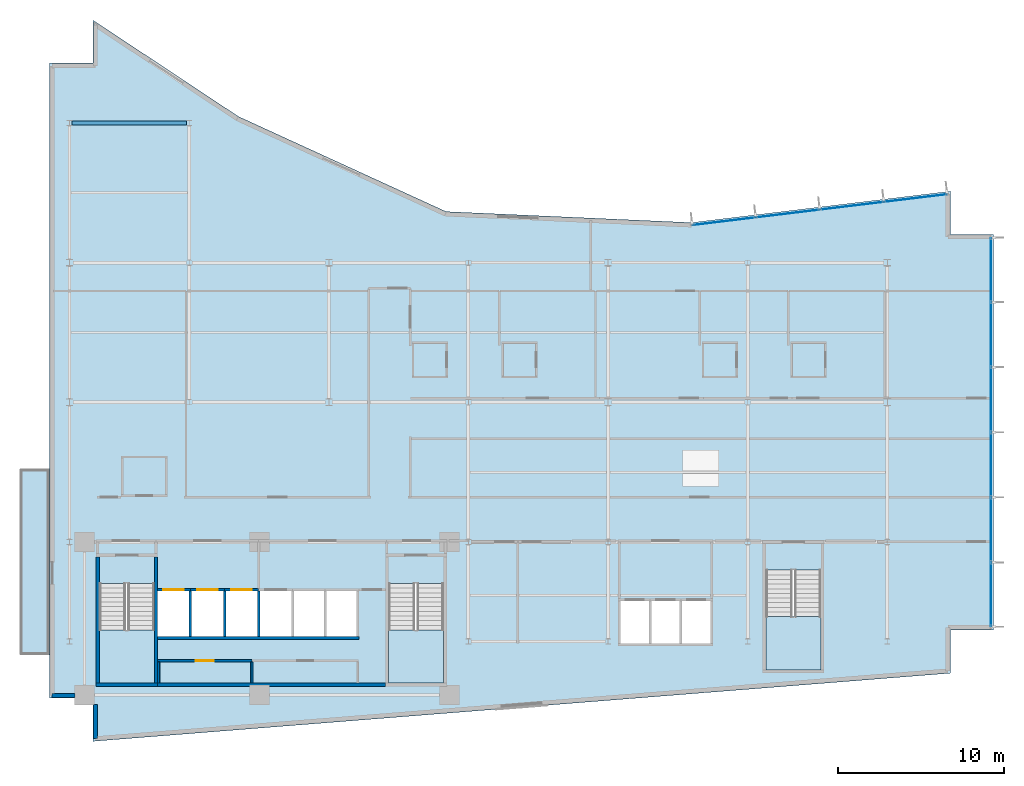
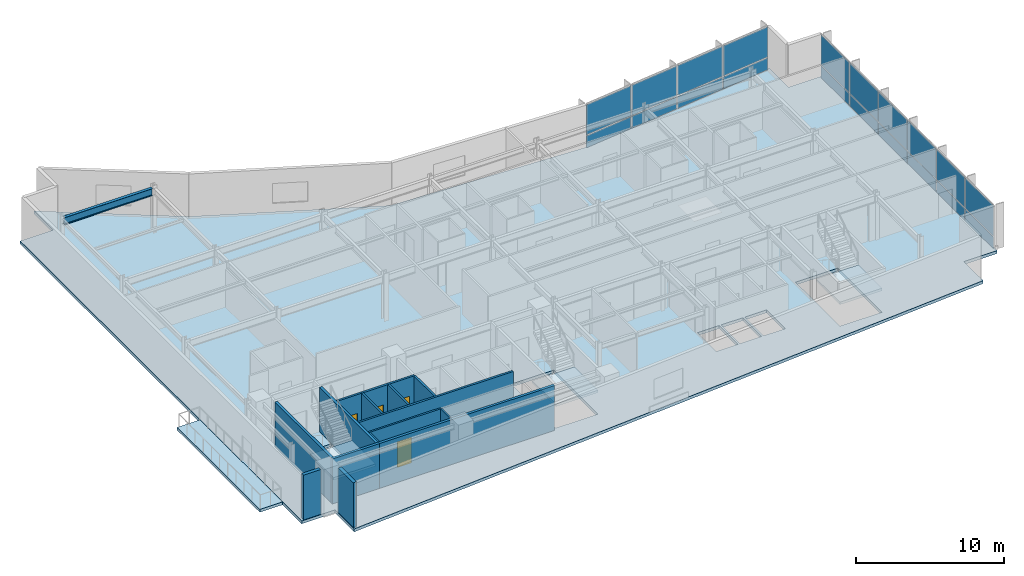
# One storey, part 9 of 18: 20 plates, 16 walls, 5 slabs, 4 doors, 1 beam, 4 openings, 5 elements without a shape of their own.
"""IFC4 building model written with IfcOpenShell, lengths in metres."""

from ifc_helpers import new_model, si_unit, direction, frame, frame_2d, origin, origin_2d, place, context, subcontext, project, spatial, polyline, rectangle, i_section, outline, extrude, material, layer, layer_set, material_profile, profile_set, type_object, element, fill, aggregate, save


model = new_model("IFC4")

# Units and contexts
model_context = context("Model", 3, precision=1e-05, world=origin(), true_north=direction((0.0, 1.0)))
body_context = subcontext(model_context, "Body", "Model", "MODEL_VIEW")
ifc_project = project(units=[si_unit("LENGTHUNIT", "METRE"), si_unit("AREAUNIT", "SQUARE_METRE"), si_unit("VOLUMEUNIT", "CUBIC_METRE"), si_unit("PLANEANGLEUNIT", "RADIAN"), si_unit("MASSUNIT", "GRAM", prefix="KILO")], contexts=[model_context])

# Site, building, storey
site_placement = place(None, origin())
site = spatial("IfcSite", under=ifc_project, at=site_placement, CompositionType="ELEMENT")
building_placement = place(site_placement, origin())
building = spatial("IfcBuilding", under=site, at=building_placement, Name="Varnakote Quay Hospital", CompositionType="ELEMENT")
storey_placement = place(building_placement, frame((0.0, 0.0, 138.89990234375)))
storey = spatial("IfcBuildingStorey", under=building, at=storey_placement, Name="L34", CompositionType="ELEMENT", Elevation=138.89990234375)

# Beam
ifc_material_1 = material(Name="Structural steel AS/NZS 3679.1 Grade 350 L0 (fy 340 MPa)", Category="steel")
ifc_material_profile = material_profile(ifc_material_1, i_section(OverallWidth=0.22802734375, OverallDepth=0.60205078125, WebThickness=0.010498046875, FlangeThickness=0.014892578125, FilletRadius=0.013916015625, at=origin_2d()), Name="610UB101")
ifc_profile_set = profile_set([ifc_material_profile], Name="Structural steel AS/NZS 3679.1 Grade 350 L0 (fy 340 MPa)")
beam_type = type_object("IfcBeamType", Name="BM-STL-610UB101", PredefinedType="BEAM", material=ifc_profile_set)
beam_placement = place(storey_placement, frame((1.3544921875, 37.199951171875, 3.4091796875), z_axis=(1.0, 0.0, 0.0), x_axis=(0.0, 1.0, 0.0)))
element("IfcBeam", 1, at=beam_placement, inside=storey, type_object=beam_type, Name="L34 Primary Floor Beam", PredefinedType="BEAM", context=body_context, shape_type="SweptSolid", body=[
    extrude(i_section(OverallWidth=0.22802734375, OverallDepth=0.60205078125, WebThickness=0.010498046875, FlangeThickness=0.014892578125, FilletRadius=0.013916015625, at=origin_2d()), origin(), (0.0, 0.0, 1.0), 6.89111328125),
])

# Curtain wall, plates
ifc_material_2 = material(Name="Anodised aluminium 6063-T6 Bronze", Category="aluminium")
ifc_layer_1 = layer(ifc_material_2, 0.205078125)
ifc_layer_set_1 = layer_set([ifc_layer_1], Name="Anodised aluminium 6063-T6 Bronze")
curtain_wall_type = type_object("IfcCurtainWallType", Name="CW-SYS-3", PredefinedType="NOTDEFINED", material=ifc_layer_set_1)
curtain_wall_1_placement = place(storey_placement, origin())
curtain_wall_1 = element("IfcCurtainWall", 2, at=curtain_wall_1_placement, inside=storey, type_object=curtain_wall_type, Name="L34 Unitised Bronze Curtain Wall 1", PredefinedType="NOTDEFINED")
ifc_material_3 = material(Name="Double-glazed low-E solar glass", Category="glass")
ifc_layer_2 = layer(ifc_material_3, 0.028076171875)
ifc_layer_set_2 = layer_set([ifc_layer_2], Name="Double-glazed low-E solar glass")
plate_type = type_object("IfcPlateType", Name="CW-PNL-GLZ-28", PredefinedType="CURTAIN_PANEL", material=ifc_layer_set_2)
plate_1_placement = place(storey_placement, frame((56.639892578125, 8.83544921875, 0.0751953125), z_axis=(0.0, 0.0, 1.0), x_axis=(0.0, 1.0, 0.0)))
plate_1 = element("IfcPlate", 3, at=plate_1_placement, type_object=plate_type, Name="-3-L34-1 panel 1.1", PredefinedType="CURTAIN_PANEL", context=body_context, shape_type="SweptSolid", body=[
    extrude(rectangle(XDim=3.80078125, YDim=0.028076171875, at=origin_2d()), origin(), (0.0, 0.0, 1.0), 0.987548828125),
])
plate_2_placement = place(storey_placement, frame((56.639892578125, 8.83544921875, 1.137451171875), z_axis=(0.0, 0.0, 1.0), x_axis=(0.0, 1.0, 0.0)))
plate_2 = element("IfcPlate", 4, at=plate_2_placement, type_object=plate_type, Name="-3-L34-1 panel 1.2", PredefinedType="CURTAIN_PANEL", context=body_context, shape_type="SweptSolid", body=[
    extrude(rectangle(XDim=3.80078125, YDim=0.028076171875, at=origin_2d()), origin(), (0.0, 0.0, 1.0), 2.49755859375),
])
plate_3_placement = place(storey_placement, frame((56.639892578125, 12.72998046875, 0.0751953125), z_axis=(0.0, 0.0, 1.0), x_axis=(0.0, 1.0, 0.0)))
plate_3 = element("IfcPlate", 5, at=plate_3_placement, type_object=plate_type, Name="-3-L34-1 panel 2.1", PredefinedType="CURTAIN_PANEL", context=body_context, shape_type="SweptSolid", body=[
    extrude(rectangle(XDim=3.83837890625, YDim=0.028076171875, at=origin_2d()), origin(), (0.0, 0.0, 1.0), 0.987548828125),
])
plate_4_placement = place(storey_placement, frame((56.639892578125, 12.72998046875, 1.137451171875), z_axis=(0.0, 0.0, 1.0), x_axis=(0.0, 1.0, 0.0)))
plate_4 = element("IfcPlate", 6, at=plate_4_placement, type_object=plate_type, Name="-3-L34-1 panel 2.2", PredefinedType="CURTAIN_PANEL", context=body_context, shape_type="SweptSolid", body=[
    extrude(rectangle(XDim=3.83837890625, YDim=0.028076171875, at=origin_2d()), origin(), (0.0, 0.0, 1.0), 2.49755859375),
])
plate_5_placement = place(storey_placement, frame((56.639892578125, 16.643310546875, 0.0751953125), z_axis=(0.0, 0.0, 1.0), x_axis=(0.0, 1.0, 0.0)))
plate_5 = element("IfcPlate", 7, at=plate_5_placement, type_object=plate_type, Name="-3-L34-1 panel 3.1", PredefinedType="CURTAIN_PANEL", context=body_context, shape_type="SweptSolid", body=[
    extrude(rectangle(XDim=3.83837890625, YDim=0.028076171875, at=origin_2d()), origin(), (0.0, 0.0, 1.0), 0.987548828125),
])
plate_6_placement = place(storey_placement, frame((56.639892578125, 16.643310546875, 1.137451171875), z_axis=(0.0, 0.0, 1.0), x_axis=(0.0, 1.0, 0.0)))
plate_6 = element("IfcPlate", 8, at=plate_6_placement, type_object=plate_type, Name="-3-L34-1 panel 3.2", PredefinedType="CURTAIN_PANEL", context=body_context, shape_type="SweptSolid", body=[
    extrude(rectangle(XDim=3.83837890625, YDim=0.028076171875, at=origin_2d()), origin(), (0.0, 0.0, 1.0), 2.49755859375),
])
plate_7_placement = place(storey_placement, frame((56.639892578125, 20.556640625, 0.0751953125), z_axis=(0.0, 0.0, 1.0), x_axis=(0.0, 1.0, 0.0)))
plate_7 = element("IfcPlate", 9, at=plate_7_placement, type_object=plate_type, Name="-3-L34-1 panel 4.1", PredefinedType="CURTAIN_PANEL", context=body_context, shape_type="SweptSolid", body=[
    extrude(rectangle(XDim=3.83837890625, YDim=0.028076171875, at=origin_2d()), origin(), (0.0, 0.0, 1.0), 0.987548828125),
])
plate_8_placement = place(storey_placement, frame((56.639892578125, 20.556640625, 1.137451171875), z_axis=(0.0, 0.0, 1.0), x_axis=(0.0, 1.0, 0.0)))
plate_8 = element("IfcPlate", 10, at=plate_8_placement, type_object=plate_type, Name="-3-L34-1 panel 4.2", PredefinedType="CURTAIN_PANEL", context=body_context, shape_type="SweptSolid", body=[
    extrude(rectangle(XDim=3.83837890625, YDim=0.028076171875, at=origin_2d()), origin(), (0.0, 0.0, 1.0), 2.49755859375),
])
plate_9_placement = place(storey_placement, frame((56.639892578125, 24.469970703125, 0.0751953125), z_axis=(0.0, 0.0, 1.0), x_axis=(0.0, 1.0, 0.0)))
plate_9 = element("IfcPlate", 11, at=plate_9_placement, type_object=plate_type, Name="-3-L34-1 panel 5.1", PredefinedType="CURTAIN_PANEL", context=body_context, shape_type="SweptSolid", body=[
    extrude(rectangle(XDim=3.83837890625, YDim=0.028076171875, at=origin_2d()), origin(), (0.0, 0.0, 1.0), 0.987548828125),
])
plate_10_placement = place(storey_placement, frame((56.639892578125, 24.469970703125, 1.137451171875), z_axis=(0.0, 0.0, 1.0), x_axis=(0.0, 1.0, 0.0)))
plate_10 = element("IfcPlate", 12, at=plate_10_placement, type_object=plate_type, Name="-3-L34-1 panel 5.2", PredefinedType="CURTAIN_PANEL", context=body_context, shape_type="SweptSolid", body=[
    extrude(rectangle(XDim=3.83837890625, YDim=0.028076171875, at=origin_2d()), origin(), (0.0, 0.0, 1.0), 2.49755859375),
])
plate_11_placement = place(storey_placement, frame((56.639892578125, 28.364501953125, 0.0751953125), z_axis=(0.0, 0.0, 1.0), x_axis=(0.0, 1.0, 0.0)))
plate_11 = element("IfcPlate", 13, at=plate_11_placement, type_object=plate_type, Name="-3-L34-1 panel 6.1", PredefinedType="CURTAIN_PANEL", context=body_context, shape_type="SweptSolid", body=[
    extrude(rectangle(XDim=3.80078125, YDim=0.028076171875, at=origin_2d()), origin(), (0.0, 0.0, 1.0), 0.987548828125),
])
plate_12_placement = place(storey_placement, frame((56.639892578125, 28.364501953125, 1.137451171875), z_axis=(0.0, 0.0, 1.0), x_axis=(0.0, 1.0, 0.0)))
plate_12 = element("IfcPlate", 14, at=plate_12_placement, type_object=plate_type, Name="-3-L34-1 panel 6.2", PredefinedType="CURTAIN_PANEL", context=body_context, shape_type="SweptSolid", body=[
    extrude(rectangle(XDim=3.80078125, YDim=0.028076171875, at=origin_2d()), origin(), (0.0, 0.0, 1.0), 2.49755859375),
])
aggregate(curtain_wall_1, [plate_1, plate_2, plate_3, plate_4, plate_5, plate_6, plate_7, plate_8, plate_9, plate_10, plate_11, plate_12])

curtain_wall_2_placement = place(storey_placement, origin())
curtain_wall_2 = element("IfcCurtainWall", 15, at=curtain_wall_2_placement, inside=storey, type_object=curtain_wall_type, Name="L34 Unitised Bronze Curtain Wall 2", PredefinedType="NOTDEFINED")
plate_13_placement = place(storey_placement, frame((52.09521484375, 32.68359375, 0.0751953125), z_axis=(0.0, 0.0, 1.0), x_axis=(-0.992734295067, -0.12032713492, 0.0)))
plate_13 = element("IfcPlate", 16, at=plate_13_placement, type_object=plate_type, Name="-3-L34-2 panel 1.1", PredefinedType="CURTAIN_PANEL", context=body_context, shape_type="SweptSolid", body=[
    extrude(rectangle(XDim=3.76806640625, YDim=0.028076171875, at=origin_2d()), origin(), (0.0, 0.0, 1.0), 0.987548828125),
])
plate_14_placement = place(storey_placement, frame((52.09521484375, 32.68359375, 1.137451171875), z_axis=(0.0, 0.0, 1.0), x_axis=(-0.992734295067, -0.12032713492, 0.0)))
plate_14 = element("IfcPlate", 17, at=plate_14_placement, type_object=plate_type, Name="-3-L34-2 panel 1.2", PredefinedType="CURTAIN_PANEL", context=body_context, shape_type="SweptSolid", body=[
    extrude(rectangle(XDim=3.76806640625, YDim=0.028076171875, at=origin_2d()), origin(), (0.0, 0.0, 1.0), 2.49755859375),
])
plate_15_placement = place(storey_placement, frame((48.26123046875, 32.218994140625, 0.0751953125), z_axis=(0.0, 0.0, 1.0), x_axis=(-0.992734295067, -0.12032713492, 0.0)))
plate_15 = element("IfcPlate", 18, at=plate_15_placement, type_object=plate_type, Name="-3-L34-2 panel 2.1", PredefinedType="CURTAIN_PANEL", context=body_context, shape_type="SweptSolid", body=[
    extrude(rectangle(XDim=3.8056640625, YDim=0.028076171875, at=origin_2d()), origin(), (0.0, 0.0, 1.0), 0.987548828125),
])
plate_16_placement = place(storey_placement, frame((48.26123046875, 32.218994140625, 1.137451171875), z_axis=(0.0, 0.0, 1.0), x_axis=(-0.992734295067, -0.12032713492, 0.0)))
plate_16 = element("IfcPlate", 19, at=plate_16_placement, type_object=plate_type, Name="-3-L34-2 panel 2.2", PredefinedType="CURTAIN_PANEL", context=body_context, shape_type="SweptSolid", body=[
    extrude(rectangle(XDim=3.8056640625, YDim=0.028076171875, at=origin_2d()), origin(), (0.0, 0.0, 1.0), 2.49755859375),
])
plate_17_placement = place(storey_placement, frame((44.40869140625, 31.751953125, 0.0751953125), z_axis=(0.0, 0.0, 1.0), x_axis=(-0.992734295067, -0.12032713492, 0.0)))
plate_17 = element("IfcPlate", 20, at=plate_17_placement, type_object=plate_type, Name="-3-L34-2 panel 3.1", PredefinedType="CURTAIN_PANEL", context=body_context, shape_type="SweptSolid", body=[
    extrude(rectangle(XDim=3.8056640625, YDim=0.028076171875, at=origin_2d()), origin(), (0.0, 0.0, 1.0), 0.987548828125),
])
plate_18_placement = place(storey_placement, frame((44.40869140625, 31.751953125, 1.137451171875), z_axis=(0.0, 0.0, 1.0), x_axis=(-0.992734295067, -0.12032713492, 0.0)))
plate_18 = element("IfcPlate", 21, at=plate_18_placement, type_object=plate_type, Name="-3-L34-2 panel 3.2", PredefinedType="CURTAIN_PANEL", context=body_context, shape_type="SweptSolid", body=[
    extrude(rectangle(XDim=3.8056640625, YDim=0.028076171875, at=origin_2d()), origin(), (0.0, 0.0, 1.0), 2.49755859375),
])
plate_19_placement = place(storey_placement, frame((40.574951171875, 31.287353515625, 0.0751953125), z_axis=(0.0, 0.0, 1.0), x_axis=(-0.992734295067, -0.12032713492, 0.0)))
plate_19 = element("IfcPlate", 22, at=plate_19_placement, type_object=plate_type, Name="-3-L34-2 panel 4.1", PredefinedType="CURTAIN_PANEL", context=body_context, shape_type="SweptSolid", body=[
    extrude(rectangle(XDim=3.76806640625, YDim=0.028076171875, at=origin_2d()), origin(), (0.0, 0.0, 1.0), 0.987548828125),
])
plate_20_placement = place(storey_placement, frame((40.574951171875, 31.287353515625, 1.137451171875), z_axis=(0.0, 0.0, 1.0), x_axis=(-0.992734295067, -0.12032713492, 0.0)))
plate_20 = element("IfcPlate", 23, at=plate_20_placement, type_object=plate_type, Name="-3-L34-2 panel 4.2", PredefinedType="CURTAIN_PANEL", context=body_context, shape_type="SweptSolid", body=[
    extrude(rectangle(XDim=3.76806640625, YDim=0.028076171875, at=origin_2d()), origin(), (0.0, 0.0, 1.0), 2.49755859375),
])
aggregate(curtain_wall_2, [plate_13, plate_14, plate_15, plate_16, plate_17, plate_18, plate_19, plate_20])

# Stair, slab
ifc_material_4 = material(Name="Concrete N40 (f'c 40 MPa)", Category="concrete")
stair_type = type_object("IfcStairType", Name="STR-CORE-1580", PredefinedType="HALF_TURN_STAIR", material=ifc_material_4)
stair_1_placement = place(storey_placement, origin())
stair_1 = element("IfcStair", 24, at=stair_1_placement, inside=storey, type_object=stair_type, Name="L34 Fire-Isolated Exit Stair ST-01", PredefinedType="HALF_TURN_STAIR")
ifc_material_5 = material(Name="Concrete N40 (f'c 40 MPa)", Category="concrete")
ifc_layer_3 = layer(ifc_material_5, 0.199951171875)
ifc_layer_set_3 = layer_set([ifc_layer_3], Name="Concrete N40 (f'c 40 MPa)")
slab_type_1 = type_object("IfcSlabType", Name="SLB-STAIR-LND-200", PredefinedType="LANDING", material=ifc_layer_set_3)
slab_1_placement = place(storey_placement, frame((0.0, 0.0, 1.775146484375)))
slab_1 = element("IfcSlab", 25, at=slab_1_placement, type_object=slab_type_1, Name="ST-01 landing 1", PredefinedType="LANDING", context=body_context, shape_type="SweptSolid", body=[
    extrude(outline(polyline([(3.0, 6.699951171875), (3.0, 3.5), (6.300048828125, 3.5), (6.300048828125, 6.699951171875), (3.0, 6.699951171875)])), origin(), (0.0, 0.0, 1.0), 0.199951171875),
])
aggregate(stair_1, [slab_1])

stair_2_placement = place(storey_placement, origin())
stair_2 = element("IfcStair", 26, at=stair_2_placement, inside=storey, type_object=stair_type, Name="L34 Fire-Isolated Exit Stair ST-02", PredefinedType="HALF_TURN_STAIR")
slab_2_placement = place(storey_placement, frame((0.0, 0.0, 1.775146484375)))
slab_2 = element("IfcSlab", 27, at=slab_2_placement, type_object=slab_type_1, Name="ST-02 landing 1", PredefinedType="LANDING", context=body_context, shape_type="SweptSolid", body=[
    extrude(outline(polyline([(20.39990234375, 6.699951171875), (20.39990234375, 3.5), (23.699951171875, 3.5), (23.699951171875, 6.699951171875), (20.39990234375, 6.699951171875)])), origin(), (0.0, 0.0, 1.0), 0.199951171875),
])
aggregate(stair_2, [slab_2])

stair_3_placement = place(storey_placement, origin())
stair_3 = element("IfcStair", 28, at=stair_3_placement, inside=storey, type_object=stair_type, Name="L34 Fire-Isolated Exit Stair ST-03", PredefinedType="HALF_TURN_STAIR")
slab_3_placement = place(storey_placement, frame((0.0, 0.0, 1.775146484375)))
slab_3 = element("IfcSlab", 29, at=slab_3_placement, type_object=slab_type_1, Name="ST-03 landing 1", PredefinedType="LANDING", context=body_context, shape_type="SweptSolid", body=[
    extrude(outline(polyline([(43.10009765625, 7.5), (43.10009765625, 4.300048828125), (46.39990234375, 4.300048828125), (46.39990234375, 7.5), (43.10009765625, 7.5)])), origin(), (0.0, 0.0, 1.0), 0.199951171875),
])
aggregate(stair_3, [slab_3])

# Slabs
ifc_material_6 = material(Name="Concrete N50 (f'c 50 MPa)", Category="concrete")
ifc_layer_4 = layer(ifc_material_6, 0.239990234375)
ifc_layer_set_4 = layer_set([ifc_layer_4], Name="Concrete N50 (f'c 50 MPa)")
slab_type_2 = type_object("IfcSlabType", Name="SLB-TERR-200", PredefinedType="FLOOR", material=ifc_layer_set_4)
slab_4_placement = place(storey_placement, frame((0.0, 0.0, -0.239990234375)))
element("IfcSlab", 30, at=slab_4_placement, inside=storey, type_object=slab_type_2, Name="L34 Waterfront Healing Terrace Slab", PredefinedType="FLOOR", context=body_context, shape_type="SweptSolid", body=[
    extrude(outline(polyline([(0.00390625, 5.199951171875), (0.00390625, 16.39990234375), (-1.780029296875, 16.39990234375), (-1.780029296875, 5.199951171875), (0.00390625, 5.199951171875)])), origin(), (0.0, 0.0, 1.0), 0.239990234375),
])
ifc_material_7 = material(Name="Concrete N50 (f'c 50 MPa)", Category="concrete")
ifc_layer_5 = layer(ifc_material_7, 0.239990234375)
ifc_layer_set_5 = layer_set([ifc_layer_5], Name="Concrete N50 (f'c 50 MPa)")
slab_type_3 = type_object("IfcSlabType", Name="SLB-WARD-200", PredefinedType="FLOOR", material=ifc_layer_set_5)
slab_5_placement = place(storey_placement, frame((0.0, 0.0, -0.239990234375)))
element("IfcSlab", 31, at=slab_5_placement, inside=storey, type_object=slab_type_3, Name="L34 Primary Floor Slab", PredefinedType="FLOOR", context=body_context, shape_type="SweptSolid", body=[
    extrude(outline(polyline([(0.0, 2.60009765625), (2.60009765625, 2.60009765625), (2.60009765625, 0.0), (54.199951171875, 4.10009765625), (54.199951171875, 6.699951171875), (56.800048828125, 6.699951171875), (56.800048828125, 30.5), (54.199951171875, 30.5), (54.199951171875, 33.10009765625), (38.6240234375, 31.2119140625), (23.85595703125, 31.8740234375), (11.360107421875, 37.595947265625), (2.60009765625, 43.39990234375), (2.60009765625, 40.800048828125), (0.0, 40.800048828125), (0.0, 2.60009765625)]), holes=[polyline([(3.0, 3.5), (6.300048828125, 3.5), (6.300048828125, 9.49951171875), (3.0, 9.49951171875), (3.0, 3.5)]), polyline([(20.39990234375, 3.5), (23.699951171875, 3.5), (23.699951171875, 9.49951171875), (20.39990234375, 9.49951171875), (20.39990234375, 3.5)]), polyline([(43.10009765625, 4.300048828125), (46.39990234375, 4.300048828125), (46.39990234375, 10.29931640625), (43.10009765625, 10.29931640625), (43.10009765625, 4.300048828125)]), polyline([(6.5, 6.300048828125), (8.39990234375, 6.300048828125), (8.39990234375, 9.050048828125), (6.5, 9.050048828125), (6.5, 6.300048828125)]), polyline([(8.550048828125, 6.300048828125), (10.449951171875, 6.300048828125), (10.449951171875, 9.050048828125), (8.550048828125, 9.050048828125), (8.550048828125, 6.300048828125)]), polyline([(10.60009765625, 6.300048828125), (12.5, 6.300048828125), (12.5, 9.050048828125), (10.60009765625, 9.050048828125), (10.60009765625, 6.300048828125)]), polyline([(12.64990234375, 6.300048828125), (14.550048828125, 6.300048828125), (14.550048828125, 9.050048828125), (12.64990234375, 9.050048828125), (12.64990234375, 6.300048828125)]), polyline([(14.699951171875, 6.300048828125), (16.5, 6.300048828125), (16.5, 9.050048828125), (14.699951171875, 9.050048828125), (14.699951171875, 6.300048828125)]), polyline([(16.64990234375, 6.300048828125), (18.449951171875, 6.300048828125), (18.449951171875, 9.050048828125), (16.64990234375, 9.050048828125), (16.64990234375, 6.300048828125)]), polyline([(34.35009765625, 5.89990234375), (36.050048828125, 5.89990234375), (36.050048828125, 8.449951171875), (34.35009765625, 8.449951171875), (34.35009765625, 5.89990234375)]), polyline([(36.199951171875, 5.89990234375), (37.89990234375, 5.89990234375), (37.89990234375, 8.449951171875), (36.199951171875, 8.449951171875), (36.199951171875, 5.89990234375)]), polyline([(38.050048828125, 5.89990234375), (39.75, 5.89990234375), (39.75, 8.449951171875), (38.050048828125, 8.449951171875), (38.050048828125, 5.89990234375)])]), origin(), (0.0, 0.0, 1.0), 0.239990234375),
])

# Walls
ifc_material_8 = material(Name="Concrete N65 (f'c 65 MPa)", Category="concrete")
ifc_layer_6 = layer(ifc_material_8, 0.199951171875)
ifc_layer_set_6 = layer_set([ifc_layer_6], Name="Concrete N65 (f'c 65 MPa)")
wall_type_1 = type_object("IfcWallType", Name="WL-CORE-N65-200", PredefinedType="SHEAR", material=ifc_layer_set_6)
wall_1_placement = place(storey_placement, frame((6.5, 3.39990234375, 0.0), z_axis=(0.0, 0.0, 1.0), x_axis=(1.0, 0.0, 0.0)))
element("IfcWall", 32, at=wall_1_placement, inside=storey, type_object=wall_type_1, Name="L34 Rear Core South Shear Wall", PredefinedType="SHEAR", context=body_context, shape_type="SweptSolid", body=[
    extrude(rectangle(XDim=13.699951171875, YDim=0.199951171875, at=frame_2d((6.85009765625, 0.0))), origin(), (0.0, 0.0, 1.0), 3.710205078125),
])
ifc_material_9 = material(Name="Precast concrete N50 (f'c 50 MPa)", Category="concrete")
ifc_layer_7 = layer(ifc_material_9, 0.260009765625)
ifc_layer_set_7 = layer_set([ifc_layer_7], Name="Precast concrete N50 (f'c 50 MPa)")
wall_type_2 = type_object("IfcWallType", Name="WL-EXT-BRICK-260", PredefinedType="STANDARD", material=ifc_layer_set_7)
wall_2_placement = place(storey_placement, frame((2.760009765625, 2.215087890625, 0.0), z_axis=(0.0, 0.0, 1.0), x_axis=(0.0, -1.0, 0.0)))
element("IfcWall", 33, at=wall_2_placement, inside=storey, type_object=wall_type_2, Name="L34 Brick-Faced Precast Exterior Wall", PredefinedType="STANDARD", context=body_context, shape_type="SweptSolid", body=[
    extrude(rectangle(XDim=2.0419921875, YDim=0.260009765625, at=frame_2d((1.02099609375, 0.0))), origin(), (0.0, 0.0, 1.0), 3.710205078125),
])
wall_3_placement = place(storey_placement, frame((0.159912109375, 2.760009765625, 0.0), z_axis=(0.0, 0.0, 1.0), x_axis=(1.0, 0.0, 0.0)))
element("IfcWall", 34, at=wall_3_placement, inside=storey, type_object=wall_type_2, Name="L34 Brick-Faced Precast Exterior Wall", PredefinedType="STANDARD", context=body_context, shape_type="SweptSolid", body=[
    extrude(rectangle(XDim=1.35498046875, YDim=0.260009765625, at=frame_2d((0.677490234375, 0.0))), origin(), (0.0, 0.0, 1.0), 3.710205078125),
])
ifc_material_10 = material(Name="Concrete N50 (f'c 50 MPa)", Category="concrete")
ifc_layer_8 = layer(ifc_material_10, 0.14990234375)
ifc_layer_set_8 = layer_set([ifc_layer_8], Name="Concrete N50 (f'c 50 MPa)")
wall_type_3 = type_object("IfcWallType", Name="WL-SHAFT-N50-150", PredefinedType="SHEAR", material=ifc_layer_set_8)
for number, where, z_axis, x_axis, name in (
    (35, (8.47509765625, 6.300048828125, 0.0), (0.0, 0.0, 1.0), (0.0, 1.0, 0.0), "L34 LF-FF1 Hoistway Divider Wall"),
    (36, (10.52490234375, 6.300048828125, 0.0), (0.0, 0.0, 1.0), (0.0, 1.0, 0.0), "L34 LF-FF2 Hoistway Divider Wall"),
    (37, (12.574951171875, 6.300048828125, 0.0), (0.0, 0.0, 1.0), (0.0, 1.0, 0.0), "L34 LF-SV1 Hoistway Divider Wall"),
):
    element("IfcWall", number, at=place(storey_placement, frame(where, z_axis=z_axis, x_axis=x_axis)), inside=storey, type_object=wall_type_3, Name=name, PredefinedType="SHEAR", context=body_context, shape_type="SweptSolid", body=[
        extrude(rectangle(XDim=2.75, YDim=0.14990234375, at=frame_2d((1.375, 0.0))), origin(), (0.0, 0.0, 1.0), 3.710205078125),
    ])
ifc_material_11 = material(Name="Concrete N50 (f'c 50 MPa)", Category="concrete")
ifc_layer_9 = layer(ifc_material_11, 0.159912109375)
ifc_layer_set_9 = layer_set([ifc_layer_9], Name="Concrete N50 (f'c 50 MPa)")
wall_type_4 = type_object("IfcWallType", Name="WL-SHAFT-N50-160", PredefinedType="SHEAR", material=ifc_layer_set_9)
wall_4_placement = place(storey_placement, frame((6.5, 6.219970703125, 0.0), z_axis=(0.0, 0.0, 1.0), x_axis=(1.0, 0.0, 0.0)))
element("IfcWall", 38, at=wall_4_placement, inside=storey, type_object=wall_type_4, Name="L34 REAR Lift Bank Back Shear Wall", PredefinedType="SHEAR", context=body_context, shape_type="SweptSolid", body=[
    extrude(rectangle(XDim=12.110107421875, YDim=0.159912109375, at=frame_2d((6.05517578125, 0.0))), origin(), (0.0, 0.0, 1.0), 3.710205078125),
])

# Wall, opening, door
wall_5_placement = place(storey_placement, frame((6.5, 9.1298828125, 0.0), z_axis=(0.0, 0.0, 1.0), x_axis=(1.0, 0.0, 0.0)))
wall_5 = element("IfcWall", 39, at=wall_5_placement, inside=storey, type_object=wall_type_4, Name="L34 LF-FF1 Hoistway Front Wall", PredefinedType="SHEAR", context=body_context, shape_type="SweptSolid", body=[
    extrude(rectangle(XDim=1.97509765625, YDim=0.159912109375, at=frame_2d((0.987548828125, 0.0))), origin(), (0.0, 0.0, 1.0), 3.710205078125),
])
opening_1_placement = place(wall_5_placement, frame((0.324951171875, 0.0, 0.0)))
opening_1 = element("IfcOpeningElement", 40, at=opening_1_placement, cuts=wall_5, Name="Opening LD-FF1-L34", PredefinedType="OPENING", context=body_context, shape_type="SweptSolid", body=[
    extrude(rectangle(XDim=1.25, YDim=2.14990234375, at=frame_2d((0.625, 1.074951171875))), frame((0.0, 0.08984375, 0.0), z_axis=(0.0, -1.0, 0.0), x_axis=(1.0, 0.0, 0.0)), (0.0, 0.0, 1.0), 0.179931640625),
])
ifc_material_12 = material(Name="Stainless steel lift landing sliding door", Category="steel")
door_type_1 = type_object("IfcDoorType", Name="DR-LIFT-LD-1250x2150", OperationType="NOTDEFINED", PredefinedType="DOOR", material=ifc_material_12)
door_1_placement = place(opening_1_placement, origin())
door_1 = element("IfcDoor", 41, at=door_1_placement, inside=storey, type_object=door_type_1, Name="L34 LF-FF1 Lift Landing Sliding Door", OperationType="SLIDING_TO_LEFT", OverallHeight=2.14990234375, OverallWidth=1.25, PredefinedType="DOOR", context=body_context, shape_type="SweptSolid", body=[
    extrude(rectangle(XDim=1.25, YDim=2.14990234375, at=frame_2d((0.625, 1.074951171875))), frame((0.0, 0.02490234375, 0.0), z_axis=(0.0, -1.0, 0.0), x_axis=(1.0, 0.0, 0.0)), (0.0, 0.0, 1.0), 0.050048828125),
])
fill(opening_1, door_1)

wall_6_placement = place(storey_placement, frame((8.47509765625, 9.1298828125, 0.0), z_axis=(0.0, 0.0, 1.0), x_axis=(1.0, 0.0, 0.0)))
wall_6 = element("IfcWall", 42, at=wall_6_placement, inside=storey, type_object=wall_type_4, Name="L34 LF-FF2 Hoistway Front Wall", PredefinedType="SHEAR", context=body_context, shape_type="SweptSolid", body=[
    extrude(rectangle(XDim=2.0498046875, YDim=0.159912109375, at=frame_2d((1.02490234375, 0.0))), origin(), (0.0, 0.0, 1.0), 3.710205078125),
])
opening_2_placement = place(wall_6_placement, frame((0.39990234375, 0.0, 0.0)))
opening_2 = element("IfcOpeningElement", 43, at=opening_2_placement, cuts=wall_6, Name="Opening LD-FF2-L34", PredefinedType="OPENING", context=body_context, shape_type="SweptSolid", body=[
    extrude(rectangle(XDim=1.25, YDim=2.14990234375, at=frame_2d((0.625, 1.074951171875))), frame((0.0, 0.08984375, 0.0), z_axis=(0.0, -1.0, 0.0), x_axis=(1.0, 0.0, 0.0)), (0.0, 0.0, 1.0), 0.179931640625),
])
door_2_placement = place(opening_2_placement, origin())
door_2 = element("IfcDoor", 44, at=door_2_placement, inside=storey, type_object=door_type_1, Name="L34 LF-FF2 Lift Landing Sliding Door", OperationType="SLIDING_TO_LEFT", OverallHeight=2.14990234375, OverallWidth=1.25, PredefinedType="DOOR", context=body_context, shape_type="SweptSolid", body=[
    extrude(rectangle(XDim=1.25, YDim=2.14990234375, at=frame_2d((0.625, 1.074951171875))), frame((0.0, 0.02490234375, 0.0), z_axis=(0.0, -1.0, 0.0), x_axis=(1.0, 0.0, 0.0)), (0.0, 0.0, 1.0), 0.050048828125),
])
fill(opening_2, door_2)

wall_7_placement = place(storey_placement, frame((10.52490234375, 9.1298828125, 0.0), z_axis=(0.0, 0.0, 1.0), x_axis=(1.0, 0.0, 0.0)))
wall_7 = element("IfcWall", 45, at=wall_7_placement, inside=storey, type_object=wall_type_4, Name="L34 LF-SV1 Hoistway Front Wall", PredefinedType="SHEAR", context=body_context, shape_type="SweptSolid", body=[
    extrude(rectangle(XDim=2.050048828125, YDim=0.159912109375, at=frame_2d((1.02490234375, 0.0))), origin(), (0.0, 0.0, 1.0), 3.710205078125),
])
opening_3_placement = place(wall_7_placement, frame((0.39990234375, 0.0, 0.0)))
opening_3 = element("IfcOpeningElement", 46, at=opening_3_placement, cuts=wall_7, Name="Opening LD-SV1-L34", PredefinedType="OPENING", context=body_context, shape_type="SweptSolid", body=[
    extrude(rectangle(XDim=1.25, YDim=2.14990234375, at=frame_2d((0.625, 1.074951171875))), frame((0.0, 0.08984375, 0.0), z_axis=(0.0, -1.0, 0.0), x_axis=(1.0, 0.0, 0.0)), (0.0, 0.0, 1.0), 0.179931640625),
])
door_3_placement = place(opening_3_placement, origin())
door_3 = element("IfcDoor", 47, at=door_3_placement, inside=storey, type_object=door_type_1, Name="L34 LF-SV1 Lift Landing Sliding Door", OperationType="SLIDING_TO_LEFT", OverallHeight=2.14990234375, OverallWidth=1.25, PredefinedType="DOOR", context=body_context, shape_type="SweptSolid", body=[
    extrude(rectangle(XDim=1.25, YDim=2.14990234375, at=frame_2d((0.625, 1.074951171875))), frame((0.0, 0.02490234375, 0.0), z_axis=(0.0, -1.0, 0.0), x_axis=(1.0, 0.0, 0.0)), (0.0, 0.0, 1.0), 0.050048828125),
])
fill(opening_3, door_3)

# Walls
ifc_material_13 = material(Name="Concrete N50 (f'c 50 MPa)", Category="concrete")
ifc_layer_10 = layer(ifc_material_13, 0.199951171875)
ifc_layer_set_10 = layer_set([ifc_layer_10], Name="Concrete N50 (f'c 50 MPa)")
wall_type_5 = type_object("IfcWallType", Name="WL-SHAFT-N50-200", PredefinedType="SHEAR", material=ifc_layer_set_10)
wall_8_placement = place(storey_placement, frame((2.800048828125, 3.39990234375, 0.0), z_axis=(0.0, 0.0, 1.0), x_axis=(1.0, 0.0, 0.0)))
element("IfcWall", 48, at=wall_8_placement, inside=storey, type_object=wall_type_5, Name="L34 Stair ST1 South Shaft Wall", PredefinedType="SHEAR", context=body_context, shape_type="SweptSolid", body=[
    extrude(rectangle(XDim=3.699951171875, YDim=0.199951171875, at=frame_2d((1.85009765625, 0.0))), origin(), (0.0, 0.0, 1.0), 3.710205078125),
])
for number, where, z_axis, x_axis, name in (
    (49, (2.89990234375, 3.5, 0.0), (0.0, 0.0, 1.0), (0.0, 1.0, 0.0), "L34 Stair ST1 West Shaft Wall"),
    (50, (6.39990234375, 3.5, 0.0), (0.0, 0.0, 1.0), (0.0, 1.0, 0.0), "L34 Stair ST1 East Shaft Wall"),
):
    element("IfcWall", number, at=place(storey_placement, frame(where, z_axis=z_axis, x_axis=x_axis)), inside=storey, type_object=wall_type_5, Name=name, PredefinedType="SHEAR", context=body_context, shape_type="SweptSolid", body=[
        extrude(rectangle(XDim=7.60009765625, YDim=0.199951171875, at=frame_2d((3.800048828125, 0.0))), origin(), (0.0, 0.0, 1.0), 3.710205078125),
    ])
ifc_material_14 = material(Name="Smoke-proof clinical partition", Category="gypsum")
ifc_layer_11 = layer(ifc_material_14, 0.1201171875)
ifc_layer_set_11 = layer_set([ifc_layer_11], Name="Smoke-proof clinical partition")
wall_type_6 = type_object("IfcWallType", Name="WL-SMOKE-120", PredefinedType="PARTITIONING", material=ifc_layer_set_11)
for number, where, z_axis, x_axis, name in (
    (51, (6.56005859375, 3.52001953125, 0.0), (0.0, 0.0, 1.0), (0.0, 1.0, 0.0), "L34 Core South Service West Wall"),
    (52, (12.169921875, 3.52001953125, 0.0), (0.0, 0.0, 1.0), (0.0, 1.0, 0.0), "L34 Core South Service Divider"),
):
    element("IfcWall", number, at=place(storey_placement, frame(where, z_axis=z_axis, x_axis=x_axis)), inside=storey, type_object=wall_type_6, Name=name, PredefinedType="PARTITIONING", context=body_context, shape_type="SweptSolid", body=[
        extrude(rectangle(XDim=1.260009765625, YDim=0.1201171875, at=frame_2d((0.6298828125, 0.0))), origin(), (0.0, 0.0, 1.0), 3.710205078125),
    ])

# Wall, opening, door
ifc_material_15 = material(Name="Fire-rated clinical gypsum partition", Category="gypsum")
ifc_layer_12 = layer(ifc_material_15, 0.139892578125)
ifc_layer_set_12 = layer_set([ifc_layer_12], Name="Fire-rated clinical gypsum partition")
wall_type_7 = type_object("IfcWallType", Name="WL-WARD-140", PredefinedType="PARTITIONING", material=ifc_layer_set_12)
wall_9_placement = place(storey_placement, frame((6.5, 4.85009765625, 0.0), z_axis=(0.0, 0.0, 1.0), x_axis=(1.0, 0.0, 0.0)))
wall_9 = element("IfcWall", 53, at=wall_9_placement, inside=storey, type_object=wall_type_7, Name="L34 Core Clean Linen Store North Wall", PredefinedType="PARTITIONING", context=body_context, shape_type="SweptSolid", body=[
    extrude(rectangle(XDim=5.669921875, YDim=0.139892578125, at=frame_2d((2.8349609375, 0.0))), origin(), (0.0, 0.0, 1.0), 3.710205078125),
])
opening_4_placement = place(wall_9_placement, frame((2.284912109375, 0.0, 0.0)))
opening_4 = element("IfcOpeningElement", 54, at=opening_4_placement, cuts=wall_9, Name="Opening D-L34-CR01", PredefinedType="OPENING", context=body_context, shape_type="SweptSolid", body=[
    extrude(rectangle(XDim=1.10009765625, YDim=2.10009765625, at=frame_2d((0.550048828125, 1.050048828125))), frame((0.0, 0.079833984375, 0.0), z_axis=(0.0, -1.0, 0.0), x_axis=(1.0, 0.0, 0.0)), (0.0, 0.0, 1.0), 0.159912109375),
])
ifc_material_16 = material(Name="Acoustic timber clinical consult door", Category="wood")
door_type_2 = type_object("IfcDoorType", Name="DR-CLIN-FD30S-1100x2100", OperationType="NOTDEFINED", PredefinedType="DOOR", material=ifc_material_16)
door_4_placement = place(opening_4_placement, origin())
door_4 = element("IfcDoor", 55, at=door_4_placement, inside=storey, type_object=door_type_2, Name="L34 Core Clean Linen Store Door", OperationType="SINGLE_SWING_RIGHT", OverallHeight=2.10009765625, OverallWidth=1.10009765625, PredefinedType="DOOR", context=body_context, shape_type="SweptSolid", body=[
    extrude(rectangle(XDim=1.10009765625, YDim=2.10009765625, at=frame_2d((0.550048828125, 1.050048828125))), frame((0.0, 0.02490234375, 0.0), z_axis=(0.0, -1.0, 0.0), x_axis=(1.0, 0.0, 0.0)), (0.0, 0.0, 1.0), 0.050048828125),
])
fill(opening_4, door_4)

save(model, "model.ifc")
